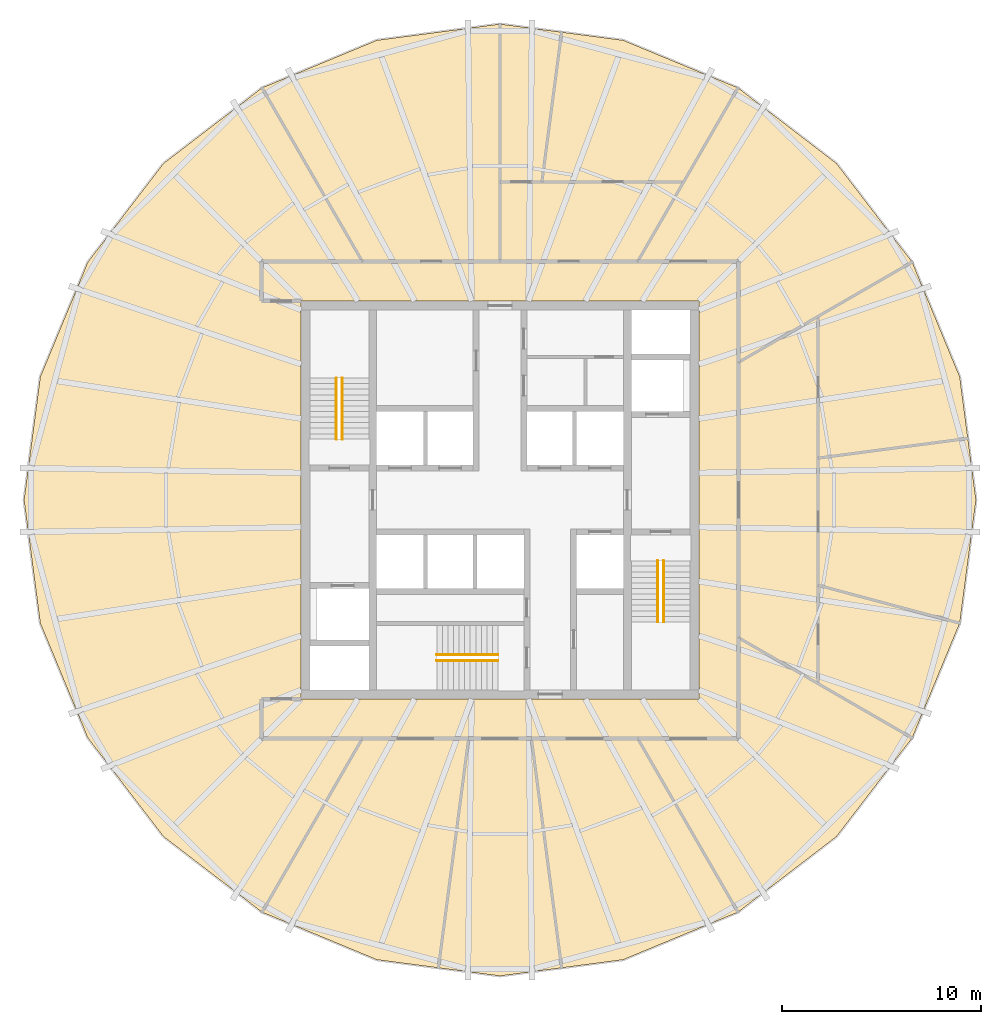
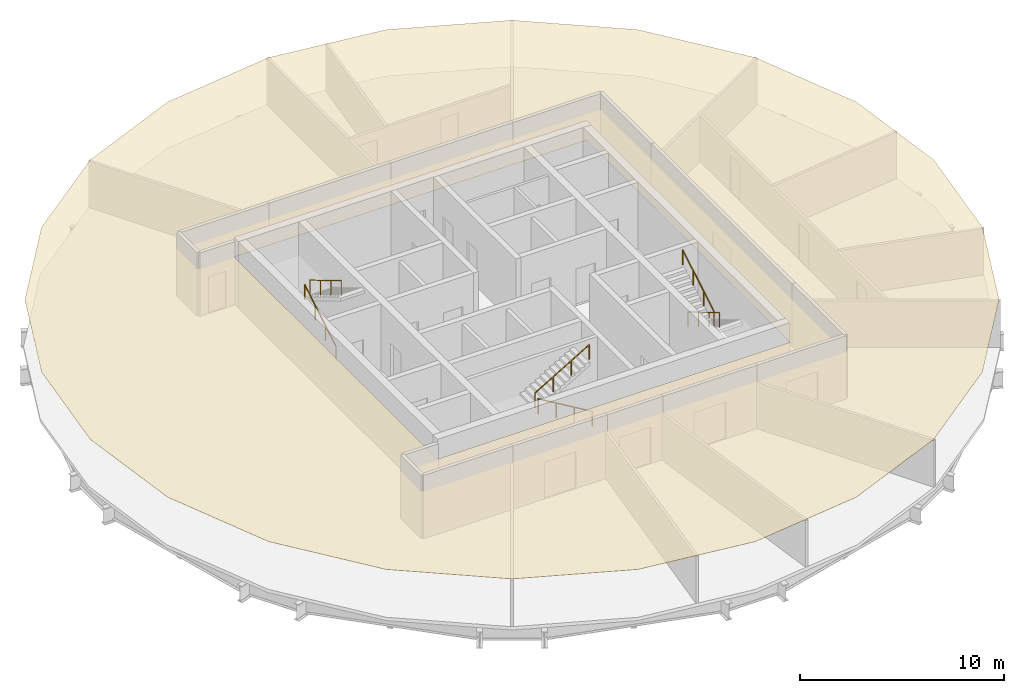
# One storey, part 6 of 6: 6 railings, 1 covering.
"""IFC4 building model written with IfcOpenShell, lengths in metres."""

from ifc_helpers import new_model, si_unit, direction, frame, origin, origin_2d, place, context, subcontext, project, spatial, polyline, circle, outline, extrude, material, layer, layer_set, type_object, element, save


model = new_model("IFC4")

# Units and contexts
model_context = context("Model", 3, precision=1e-05, world=origin(), true_north=direction((0.0, 1.0)))
body_context = subcontext(model_context, "Body", "Model", "MODEL_VIEW")
ifc_project = project(units=[si_unit("LENGTHUNIT", "METRE"), si_unit("AREAUNIT", "SQUARE_METRE"), si_unit("VOLUMEUNIT", "CUBIC_METRE"), si_unit("PLANEANGLEUNIT", "RADIAN"), si_unit("MASSUNIT", "GRAM", prefix="KILO")], contexts=[model_context])

# Site, building, storey
site_placement = place(None, origin())
site = spatial("IfcSite", under=ifc_project, at=site_placement, CompositionType="ELEMENT")
building_placement = place(site_placement, origin())
building = spatial("IfcBuilding", under=site, at=building_placement, Name="Golbaran Civic Tower", CompositionType="ELEMENT")
storey_placement = place(building_placement, frame((0.0, 0.0, 179.0)))
storey = spatial("IfcBuildingStorey", under=building, at=storey_placement, Name="L43", CompositionType="ELEMENT", Elevation=179.0)

# Railings
ifc_material_1 = material(Name="Stainless steel", Category="steel")
railing_type = type_object("IfcRailingType", Name="STAIR HANDRAIL 900", PredefinedType="HANDRAIL", material=ifc_material_1)
railing_1_placement = place(storey_placement, frame((-8.22509765625, 3.050048828125, 0.166748046875)))
element("IfcRailing", 1, at=railing_1_placement, inside=storey, type_object=railing_type, Name="Stair S1 handrail flight 1 L43", PredefinedType="HANDRAIL", context=body_context, shape_type="SweptSolid", body=[
    extrude(circle(Radius=0.02392578125, at=origin_2d()), frame((0.0, 0.0, 0.8759765625), z_axis=(0.0, 0.859290745958, 0.51148745235), x_axis=(-1.0, 0.0, 0.0)), (0.0, 0.0, 1.0), 3.584228515625),
    extrude(circle(Radius=0.02099609375, at=origin_2d()), origin(), (0.0, 0.0, 1.0), 0.851806640625),
    extrude(circle(Radius=0.02099609375, at=origin_2d()), frame((0.0, 1.026611328125, 0.611083984375)), (0.0, 0.0, 1.0), 0.851806640625),
    extrude(circle(Radius=0.02099609375, at=origin_2d()), frame((0.0, 2.05322265625, 1.22216796875)), (0.0, 0.0, 1.0), 0.851806640625),
    extrude(circle(Radius=0.02099609375, at=origin_2d()), frame((0.0, 3.079833984375, 1.833251953125)), (0.0, 0.0, 1.0), 0.851806640625),
])
for number, where, name in (
    (2, (-7.925048828125, 6.1298828125, 2.166748046875), "Stair S1 handrail flight 2 L43"),
    (3, (8.22509765625, -3.050048828125, 0.166748046875), "Stair S2 handrail flight 1 L43"),
):
    element("IfcRailing", number, at=place(storey_placement, frame(where)), inside=storey, type_object=railing_type, Name=name, PredefinedType="HANDRAIL", context=body_context, shape_type="SweptSolid", body=[
        extrude(circle(Radius=0.02392578125, at=origin_2d()), frame((0.0, 0.0, 0.8759765625), z_axis=(0.0, -0.859290745958, 0.51148745235), x_axis=(1.0, 0.0, 0.0)), (0.0, 0.0, 1.0), 3.584228515625),
        extrude(circle(Radius=0.02099609375, at=origin_2d()), origin(), (0.0, 0.0, 1.0), 0.851806640625),
        extrude(circle(Radius=0.02099609375, at=origin_2d()), frame((0.0, -1.026611328125, 0.611083984375)), (0.0, 0.0, 1.0), 0.851806640625),
        extrude(circle(Radius=0.02099609375, at=origin_2d()), frame((0.0, -2.05322265625, 1.22216796875)), (0.0, 0.0, 1.0), 0.851806640625),
        extrude(circle(Radius=0.02099609375, at=origin_2d()), frame((0.0, -3.079833984375, 1.833251953125)), (0.0, 0.0, 1.0), 0.851806640625),
    ])
railing_2_placement = place(storey_placement, frame((7.925048828125, -6.1298828125, 2.166748046875)))
element("IfcRailing", 4, at=railing_2_placement, inside=storey, type_object=railing_type, Name="Stair S2 handrail flight 2 L43", PredefinedType="HANDRAIL", context=body_context, shape_type="SweptSolid", body=[
    extrude(circle(Radius=0.02392578125, at=origin_2d()), frame((0.0, 0.0, 0.8759765625), z_axis=(0.0, 0.859290745958, 0.51148745235), x_axis=(-1.0, 0.0, 0.0)), (0.0, 0.0, 1.0), 3.584228515625),
    extrude(circle(Radius=0.02099609375, at=origin_2d()), origin(), (0.0, 0.0, 1.0), 0.851806640625),
    extrude(circle(Radius=0.02099609375, at=origin_2d()), frame((0.0, 1.026611328125, 0.611083984375)), (0.0, 0.0, 1.0), 0.851806640625),
    extrude(circle(Radius=0.02099609375, at=origin_2d()), frame((0.0, 2.05322265625, 1.22216796875)), (0.0, 0.0, 1.0), 0.851806640625),
    extrude(circle(Radius=0.02099609375, at=origin_2d()), frame((0.0, 3.079833984375, 1.833251953125)), (0.0, 0.0, 1.0), 0.851806640625),
])
railing_3_placement = place(storey_placement, frame((-0.10009765625, -8.074951171875, 0.166748046875)))
element("IfcRailing", 5, at=railing_3_placement, inside=storey, type_object=railing_type, Name="Stair S3 handrail flight 1 L43", PredefinedType="HANDRAIL", context=body_context, shape_type="SweptSolid", body=[
    extrude(circle(Radius=0.02392578125, at=origin_2d()), frame((0.0, 0.0, 0.8759765625), z_axis=(-0.859290745958, 0.0, 0.51148745235), x_axis=(0.0, -1.0, 0.0)), (0.0, 0.0, 1.0), 3.584228515625),
    extrude(circle(Radius=0.02099609375, at=origin_2d()), origin(), (0.0, 0.0, 1.0), 0.851806640625),
    extrude(circle(Radius=0.02099609375, at=origin_2d()), frame((-1.026611328125, 0.0, 0.611083984375)), (0.0, 0.0, 1.0), 0.851806640625),
    extrude(circle(Radius=0.02099609375, at=origin_2d()), frame((-2.05322265625, 0.0, 1.22216796875)), (0.0, 0.0, 1.0), 0.851806640625),
    extrude(circle(Radius=0.02099609375, at=origin_2d()), frame((-3.079833984375, 0.0, 1.833251953125)), (0.0, 0.0, 1.0), 0.851806640625),
])
railing_4_placement = place(storey_placement, frame((-3.179931640625, -7.77490234375, 2.166748046875)))
element("IfcRailing", 6, at=railing_4_placement, inside=storey, type_object=railing_type, Name="Stair S3 handrail flight 2 L43", PredefinedType="HANDRAIL", context=body_context, shape_type="SweptSolid", body=[
    extrude(circle(Radius=0.02392578125, at=origin_2d()), frame((0.0, 0.0, 0.8759765625), z_axis=(0.859290745958, 0.0, 0.51148745235), x_axis=(0.0, 1.0, 0.0)), (0.0, 0.0, 1.0), 3.584228515625),
    extrude(circle(Radius=0.02099609375, at=origin_2d()), origin(), (0.0, 0.0, 1.0), 0.851806640625),
    extrude(circle(Radius=0.02099609375, at=origin_2d()), frame((1.026611328125, 0.0, 0.611083984375)), (0.0, 0.0, 1.0), 0.851806640625),
    extrude(circle(Radius=0.02099609375, at=origin_2d()), frame((2.05322265625, 0.0, 1.22216796875)), (0.0, 0.0, 1.0), 0.851806640625),
    extrude(circle(Radius=0.02099609375, at=origin_2d()), frame((3.079833984375, 0.0, 1.833251953125)), (0.0, 0.0, 1.0), 0.851806640625),
])

# Covering
ifc_material_2 = material(Name="Mineral fibre tile on steel grid", Category="steel")
ifc_layer = layer(ifc_material_2, 0.02001953125, Name="Mineral fibre tile on steel grid")
ifc_layer_set = layer_set([ifc_layer], Name="Mineral fibre tile on steel grid")
covering_type = type_object("IfcCoveringType", Name="SUSPENDED CEILING 600 TILE 20", PredefinedType="CEILING", material=ifc_layer_set)
covering_placement = place(storey_placement, frame((0.0, 0.0, 2.800048828125)))
element("IfcCovering", 7, at=covering_placement, inside=storey, type_object=covering_type, Name="Suspended ceiling L43", PredefinedType="CEILING", context=body_context, shape_type="SweptSolid", body=[
    extrude(outline(polyline([(-23.117431640625, -6.1943359375), (-23.93310546875, 0.0), (-23.117431640625, 6.1943359375), (-20.7265625, 11.966552734375), (-16.923095703125, 16.923095703125), (-11.966552734375, 20.7265625), (-6.1943359375, 23.117431640625), (0.0, 23.93310546875), (6.1943359375, 23.117431640625), (11.966552734375, 20.7265625), (16.923095703125, 16.923095703125), (20.7265625, 11.966552734375), (23.117431640625, 6.1943359375), (23.505615234375, 3.245849609375), (23.93310546875, 0.0), (23.117431640625, -6.1943359375), (20.7265625, -11.966552734375), (16.923095703125, -16.923095703125), (11.966552734375, -20.7265625), (6.1943359375, -23.117431640625), (3.245849609375, -23.505615234375), (0.0, -23.93310546875), (-6.1943359375, -23.117431640625), (-11.966552734375, -20.7265625), (-16.923095703125, -16.923095703125), (-20.7265625, -11.966552734375), (-23.117431640625, -6.1943359375)]), holes=[polyline([(-10.0, 10.0), (-10.0, -10.0), (10.0, -10.0), (10.0, 10.0), (-10.0, 10.0)])]), origin(), (0.0, 0.0, 1.0), 0.02001953125),
])

save(model, "model.ifc")
